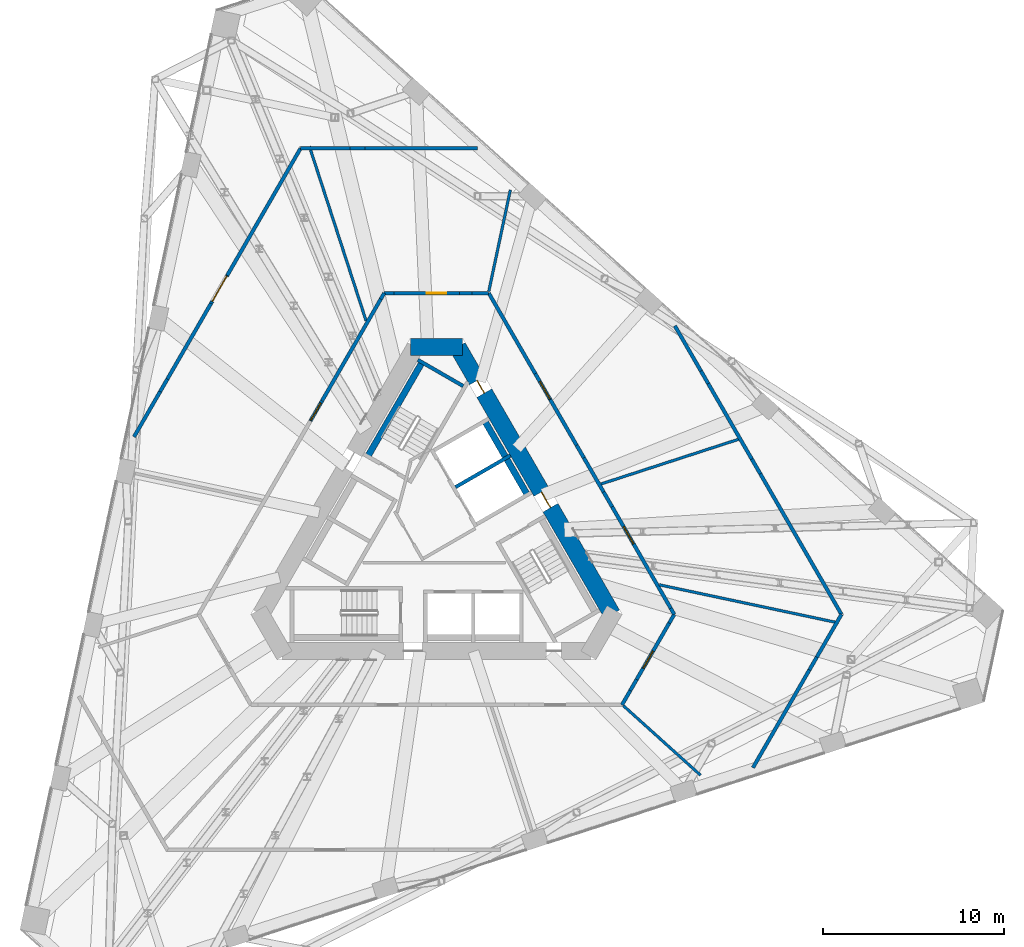
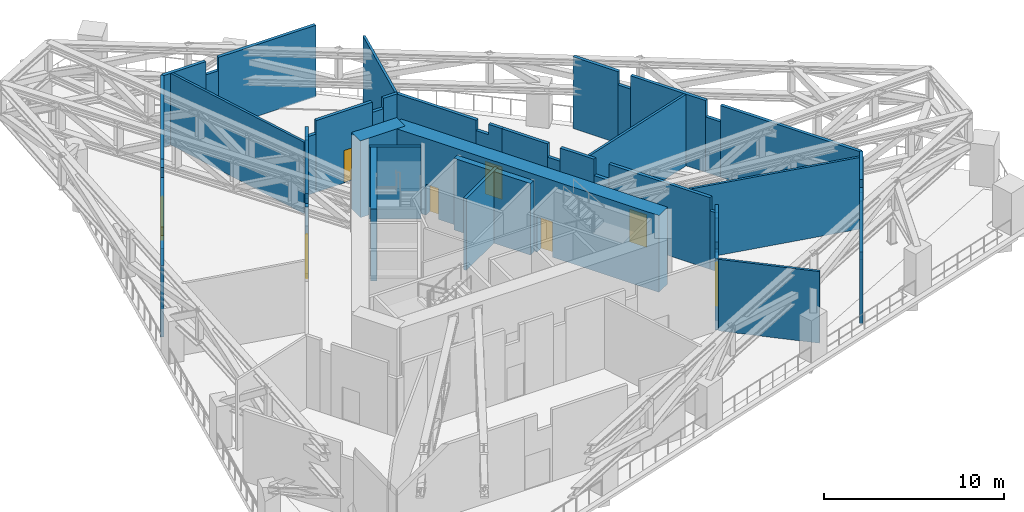
# One storey, part 16 of 24: 46 walls, 8 doors, 8 openings.
"""IFC4 building model written with IfcOpenShell, lengths in metres."""

from ifc_helpers import new_model, si_unit, direction, frame, frame_2d, origin, place, context, subcontext, project, spatial, polyline, rectangle, outline, extrude, material, layer, layer_set, type_object, element, fill, save


model = new_model("IFC4")

# Units and contexts
model_context = context("Model", 3, precision=1e-05, world=origin(), true_north=direction((0.0, 1.0)))
body_context = subcontext(model_context, "Body", "Model", "MODEL_VIEW")
ifc_project = project(units=[si_unit("LENGTHUNIT", "METRE"), si_unit("AREAUNIT", "SQUARE_METRE"), si_unit("VOLUMEUNIT", "CUBIC_METRE"), si_unit("PLANEANGLEUNIT", "RADIAN"), si_unit("MASSUNIT", "GRAM", prefix="KILO")], contexts=[model_context])

# Site, building, storey
site_placement = place(None, origin())
site = spatial("IfcSite", under=ifc_project, at=site_placement, CompositionType="ELEMENT")
building_placement = place(site_placement, origin())
building = spatial("IfcBuilding", under=site, at=building_placement, Name="Tramontana Tower", CompositionType="ELEMENT")
storey_placement = place(building_placement, frame((0.0, 0.0, 120.39990234375)))
storey = spatial("IfcBuildingStorey", under=building, at=storey_placement, Name="L27", CompositionType="ELEMENT", Elevation=120.39990234375)

# Wall
ifc_material_1 = material(Name="Concrete 70 MPa", Category="concrete")
ifc_layer_1 = layer(ifc_material_1, 0.949951171875)
ifc_layer_set_1 = layer_set([ifc_layer_1], Name="Core wall 950 70 MPa")
wall_type_1 = type_object("IfcWallType", Name="Core wall 950 70 MPa", PredefinedType="SHEAR", material=ifc_layer_set_1)
wall_1_placement = place(storey_placement, frame((1.443359375, 10.52490234375, 0.0), z_axis=(0.0, 0.0, 1.0), x_axis=(-1.0, 0.0, 0.0)))
element("IfcWall", 1, at=wall_1_placement, inside=storey, type_object=wall_type_1, Name="Core wall C0 L27", PredefinedType="SHEAR", context=body_context, shape_type="SweptSolid", body=[
    extrude(rectangle(XDim=2.88671875, YDim=0.949951171875, at=frame_2d((1.443359375, 0.0))), origin(), (0.0, 0.0, 1.0), 5.2001953125),
])

# Wall, openings, doors
wall_2_placement = place(storey_placement, frame((9.699462890625, -4.25, 0.0), z_axis=(0.0, 0.0, 1.0), x_axis=(-0.499999102847, 0.866025921755, 0.0)))
wall_2 = element("IfcWall", 2, at=wall_2_placement, inside=storey, type_object=wall_type_1, Name="Core wall C5 L27", PredefinedType="SHEAR", context=body_context, shape_type="SweptSolid", body=[
    extrude(rectangle(XDim=17.060546875, YDim=0.949951171875, at=frame_2d((8.5302734375, 0.0))), origin(), (0.0, 0.0, 1.0), 5.2001953125),
])
opening_1_placement = place(wall_2_placement, frame((6.805419921875, 0.0, 0.0)))
opening_1 = element("IfcOpeningElement", 3, at=opening_1_placement, cuts=wall_2, Name="Opening RG3", PredefinedType="OPENING", context=body_context, shape_type="SweptSolid", body=[
    extrude(rectangle(XDim=1.0, YDim=2.39990234375, at=frame_2d((0.5, 1.199951171875))), frame((0.0, 0.48486328125, 0.0), z_axis=(0.0, -1.0, 0.0), x_axis=(1.0, 0.0, 0.0)), (0.0, 0.0, 1.0), 0.969970703125),
])
opening_2_placement = place(wall_2_placement, frame((14.11376953125, 0.0, 0.0)))
opening_2 = element("IfcOpeningElement", 4, at=opening_2_placement, cuts=wall_2, Name="Opening PD3", PredefinedType="OPENING", context=body_context, shape_type="SweptSolid", body=[
    extrude(rectangle(XDim=0.800048828125, YDim=2.10009765625, at=frame_2d((0.39990234375, 1.050048828125))), frame((0.0, 0.48486328125, 0.0), z_axis=(0.0, -1.0, 0.0), x_axis=(1.0, 0.0, 0.0)), (0.0, 0.0, 1.0), 0.969970703125),
])
ifc_material_2 = material(Name="Painted steel", Category="steel")
door_type_1 = type_object("IfcDoorType", Name="CUPBOARD DOOR 800", OperationType="SINGLE_SWING_LEFT", PredefinedType="DOOR", material=ifc_material_2)
door_1_placement = place(opening_2_placement, origin())
door_1 = element("IfcDoor", 5, at=door_1_placement, inside=storey, type_object=door_type_1, Name="Door PD3", OperationType="SINGLE_SWING_RIGHT", OverallHeight=2.10009765625, OverallWidth=0.800048828125, PredefinedType="DOOR", context=body_context, shape_type="SweptSolid", body=[
    extrude(rectangle(XDim=0.800048828125, YDim=2.10009765625, at=frame_2d((0.39990234375, 1.050048828125))), frame((0.0, 0.02490234375, 0.0), z_axis=(0.0, -1.0, 0.0), x_axis=(1.0, 0.0, 0.0)), (0.0, 0.0, 1.0), 0.050048828125),
])
fill(opening_2, door_1)
ifc_material_3 = material(Name="Painted steel", Category="steel")
door_type_2 = type_object("IfcDoorType", Name="RING DOOR 1000", OperationType="SINGLE_SWING_LEFT", PredefinedType="DOOR", material=ifc_material_3)
door_2_placement = place(opening_1_placement, origin())
door_2 = element("IfcDoor", 6, at=door_2_placement, inside=storey, type_object=door_type_2, Name="Door RG3", OperationType="SINGLE_SWING_RIGHT", OverallHeight=2.39990234375, OverallWidth=1.0, PredefinedType="DOOR", context=body_context, shape_type="SweptSolid", body=[
    extrude(rectangle(XDim=1.0, YDim=2.39990234375, at=frame_2d((0.5, 1.199951171875))), frame((0.0, 0.02490234375, 0.0), z_axis=(0.0, -1.0, 0.0), x_axis=(1.0, 0.0, 0.0)), (0.0, 0.0, 1.0), 0.050048828125),
])
fill(opening_1, door_2)

# Walls
ifc_material_4 = material(Name="Blockwork", Category="masonry")
ifc_layer_2 = layer(ifc_material_4, 0.199951171875)
ifc_layer_set_2 = layer_set([ifc_layer_2], Name="ENCLOSURE WALL 200")
wall_type_2 = type_object("IfcWallType", Name="ENCLOSURE WALL 200", PredefinedType="SOLIDWALL", material=ifc_layer_set_2)
wall_3_placement = place(storey_placement, frame((13.16845703125, 11.691650390625, 0.0), z_axis=(0.0, 0.0, 1.0), x_axis=(0.499988576638, -0.866031998965, 0.0)))
element("IfcWall", 7, at=wall_3_placement, inside=storey, type_object=wall_type_2, Name="Wall enc0-0", PredefinedType="SOLIDWALL", context=body_context, shape_type="SweptSolid", body=[
    extrude(rectangle(XDim=2.88525390625, YDim=0.199951171875, at=frame_2d((1.442626953125, 0.0))), origin(), (0.0, 0.0, 1.0), 4.85009765625),
])
wall_4_placement = place(storey_placement, frame((14.611083984375, 9.19287109375, 0.0), z_axis=(0.0, 0.0, 1.0), x_axis=(0.500109828528, -0.865961984968, 0.0)))
element("IfcWall", 8, at=wall_4_placement, inside=storey, type_object=wall_type_2, Name="Wall enc0-1", PredefinedType="SOLIDWALL", context=body_context, shape_type="SweptSolid", body=[
    extrude(rectangle(XDim=0.800048828125, YDim=0.199951171875, at=frame_2d((0.39990234375, 0.0))), origin(), (0.0, 0.0, 1.0), 3.9501953125),
])
wall_5_placement = place(storey_placement, frame((15.01123046875, 8.5, 0.0), z_axis=(0.0, 0.0, 1.0), x_axis=(0.499982815096, -0.866035325266, 0.0)))
element("IfcWall", 9, at=wall_5_placement, inside=storey, type_object=wall_type_2, Name="Wall enc0-2", PredefinedType="SOLIDWALL", context=body_context, shape_type="SweptSolid", body=[
    extrude(rectangle(XDim=4.816162109375, YDim=0.199951171875, at=frame_2d((2.408203125, 0.0))), origin(), (0.0, 0.0, 1.0), 4.85009765625),
])
wall_6_placement = place(storey_placement, frame((17.419189453125, 4.3291015625, 0.0), z_axis=(0.0, 0.0, 1.0), x_axis=(0.499924048634, -0.866069249885, 0.0)))
element("IfcWall", 10, at=wall_6_placement, inside=storey, type_object=wall_type_2, Name="Wall enc0-3", PredefinedType="SOLIDWALL", context=body_context, shape_type="SweptSolid", body=[
    extrude(rectangle(XDim=0.943603515625, YDim=0.199951171875, at=frame_2d((0.4716796875, 0.0))), origin(), (0.0, 0.0, 1.0), 3.75),
])
wall_7_placement = place(storey_placement, frame((17.890869140625, 3.511962890625, 0.0), z_axis=(0.0, 0.0, 1.0), x_axis=(0.500006187924, -0.866021831155, 0.0)))
element("IfcWall", 11, at=wall_7_placement, inside=storey, type_object=wall_type_2, Name="Wall enc0-4", PredefinedType="SOLIDWALL", context=body_context, shape_type="SweptSolid", body=[
    extrude(rectangle(XDim=8.962890625, YDim=0.199951171875, at=frame_2d((4.4814453125, 0.0))), origin(), (0.0, 0.0, 1.0), 4.85009765625),
])
wall_8_placement = place(storey_placement, frame((22.372314453125, -4.25, 0.0), z_axis=(0.0, 0.0, 1.0), x_axis=(-0.499975232926, -0.866039702589, 0.0)))
element("IfcWall", 12, at=wall_8_placement, inside=storey, type_object=wall_type_2, Name="Wall enc1-0", PredefinedType="SOLIDWALL", context=body_context, shape_type="SweptSolid", body=[
    extrude(rectangle(XDim=2.731201171875, YDim=0.199951171875, at=frame_2d((1.36572265625, 0.0))), origin(), (0.0, 0.0, 1.0), 4.85009765625),
])
wall_9_placement = place(storey_placement, frame((21.0068359375, -6.615234375, 0.0), z_axis=(0.0, 0.0, 1.0), x_axis=(-0.500128085955, -0.865951440693, 0.0)))
element("IfcWall", 13, at=wall_9_placement, inside=storey, type_object=wall_type_2, Name="Wall enc1-1", PredefinedType="SOLIDWALL", context=body_context, shape_type="SweptSolid", body=[
    extrude(rectangle(XDim=0.816162109375, YDim=0.199951171875, at=frame_2d((0.408203125, 0.0))), origin(), (0.0, 0.0, 1.0), 3.9501953125),
])
wall_10_placement = place(storey_placement, frame((20.5986328125, -7.322021484375, 0.0), z_axis=(0.0, 0.0, 1.0), x_axis=(-0.499989156383, -0.866031664259, 0.0)))
element("IfcWall", 14, at=wall_10_placement, inside=storey, type_object=wall_type_2, Name="Wall enc1-2", PredefinedType="SOLIDWALL", context=body_context, shape_type="SweptSolid", body=[
    extrude(rectangle(XDim=6.233642578125, YDim=0.199951171875, at=frame_2d((3.11669921875, 0.0))), origin(), (0.0, 0.0, 1.0), 4.85009765625),
])
wall_11_placement = place(storey_placement, frame((-16.70947265625, 5.558349609375, 0.0), z_axis=(0.0, 0.0, 1.0), x_axis=(0.499988576638, 0.866031998965, 0.0)))
element("IfcWall", 15, at=wall_11_placement, inside=storey, type_object=wall_type_2, Name="Wall enc4-0", PredefinedType="SOLIDWALL", context=body_context, shape_type="SweptSolid", body=[
    extrude(rectangle(XDim=2.88525390625, YDim=0.199951171875, at=frame_2d((1.442626953125, 0.0))), origin(), (0.0, 0.0, 1.0), 4.85009765625),
])
wall_12_placement = place(storey_placement, frame((-15.266845703125, 8.05712890625, 0.0), z_axis=(0.0, 0.0, 1.0), x_axis=(0.500109828528, 0.865961984968, 0.0)))
element("IfcWall", 16, at=wall_12_placement, inside=storey, type_object=wall_type_2, Name="Wall enc4-1", PredefinedType="SOLIDWALL", context=body_context, shape_type="SweptSolid", body=[
    extrude(rectangle(XDim=0.800048828125, YDim=0.199951171875, at=frame_2d((0.39990234375, 0.0))), origin(), (0.0, 0.0, 1.0), 3.9501953125),
])
wall_13_placement = place(storey_placement, frame((-14.86669921875, 8.75, 0.0), z_axis=(0.0, 0.0, 1.0), x_axis=(0.499982815096, 0.866035325266, 0.0)))
element("IfcWall", 17, at=wall_13_placement, inside=storey, type_object=wall_type_2, Name="Wall enc4-2", PredefinedType="SOLIDWALL", context=body_context, shape_type="SweptSolid", body=[
    extrude(rectangle(XDim=4.816162109375, YDim=0.199951171875, at=frame_2d((2.408203125, 0.0))), origin(), (0.0, 0.0, 1.0), 4.85009765625),
])

# Wall, opening, door
wall_14_placement = place(storey_placement, frame((-12.458740234375, 12.9208984375, 0.0), z_axis=(0.0, 0.0, 1.0), x_axis=(0.500001105423, 0.866024765567, 0.0)))
wall_14 = element("IfcWall", 18, at=wall_14_placement, inside=storey, type_object=wall_type_2, Name="Wall enc4-3", PredefinedType="SOLIDWALL", context=body_context, shape_type="SweptSolid", body=[
    extrude(outline(polyline([(0.0, 0.0), (1.794921875, 0.0), (1.795166015625, 4.85009765625), (0.943603515625, 4.85009765625), (0.943603515625, 3.75), (0.0, 3.75), (0.0, 0.0)])), frame((0.0, 0.10009765625, 0.0), z_axis=(0.0, -1.0, 0.0), x_axis=(1.0, 0.0, 0.0)), (0.0, 0.0, 1.0), 0.199951171875),
])
opening_3_placement = place(wall_14_placement, frame((0.14501953125, 0.0, 0.0)))
opening_3 = element("IfcOpeningElement", 19, at=opening_3_placement, cuts=wall_14, Name="Opening L27-10", PredefinedType="OPENING", context=body_context, shape_type="SweptSolid", body=[
    extrude(rectangle(XDim=1.60009765625, YDim=2.300048828125, at=frame_2d((0.800048828125, 1.14990234375))), frame((0.0, 0.10986328125, 0.0), z_axis=(0.0, -1.0, 0.0), x_axis=(1.0, 0.0, 0.0)), (0.0, 0.0, 1.0), 0.219970703125),
])
ifc_material_5 = material(Name="Painted timber", Category="wood")
door_type_3 = type_object("IfcDoorType", Name="DOOR WIDE 1600", OperationType="SINGLE_SWING_LEFT", PredefinedType="DOOR", material=ifc_material_5)
door_3_placement = place(opening_3_placement, origin())
door_3 = element("IfcDoor", 20, at=door_3_placement, inside=storey, type_object=door_type_3, Name="Door L27-10", OperationType="DOUBLE_DOOR_SINGLE_SWING", OverallHeight=2.300048828125, OverallWidth=1.60009765625, PredefinedType="DOOR", context=body_context, shape_type="SweptSolid", body=[
    extrude(rectangle(XDim=1.60009765625, YDim=2.300048828125, at=frame_2d((0.800048828125, 1.14990234375))), frame((0.0, 0.02490234375, 0.0), z_axis=(0.0, -1.0, 0.0), x_axis=(1.0, 0.0, 0.0)), (0.0, 0.0, 1.0), 0.050048828125),
])
fill(opening_3, door_3)

# Walls
wall_15_placement = place(storey_placement, frame((-11.561279296875, 14.475341796875, 0.0), z_axis=(0.0, 0.0, 1.0), x_axis=(0.49999775851, 0.866026697905, 0.0)))
element("IfcWall", 21, at=wall_15_placement, inside=storey, type_object=wall_type_2, Name="Wall enc4-4", PredefinedType="SOLIDWALL", context=body_context, shape_type="SweptSolid", body=[
    extrude(rectangle(XDim=8.111328125, YDim=0.199951171875, at=frame_2d((4.0556640625, 0.0))), origin(), (0.0, 0.0, 1.0), 4.85009765625),
])
wall_16_placement = place(storey_placement, frame((-7.505615234375, 21.5, 0.0), z_axis=(0.0, 0.0, 1.0), x_axis=(1.0, 0.0, 0.0)))
element("IfcWall", 22, at=wall_16_placement, inside=storey, type_object=wall_type_2, Name="Wall enc5-0", PredefinedType="SOLIDWALL", context=body_context, shape_type="SweptSolid", body=[
    extrude(rectangle(XDim=2.731201171875, YDim=0.199951171875, at=frame_2d((1.36572265625, 0.0))), origin(), (0.0, 0.0, 1.0), 4.85009765625),
])
wall_17_placement = place(storey_placement, frame((-4.7744140625, 21.5, 0.0), z_axis=(0.0, 0.0, 1.0), x_axis=(1.0, 0.0, 0.0)))
element("IfcWall", 23, at=wall_17_placement, inside=storey, type_object=wall_type_2, Name="Wall enc5-1", PredefinedType="SOLIDWALL", context=body_context, shape_type="SweptSolid", body=[
    extrude(rectangle(XDim=0.816162109375, YDim=0.199951171875, at=frame_2d((0.408203125, 0.0))), origin(), (0.0, 0.0, 1.0), 3.9501953125),
])
wall_18_placement = place(storey_placement, frame((-3.958251953125, 21.5, 0.0), z_axis=(0.0, 0.0, 1.0), x_axis=(1.0, 0.0, 0.0)))
element("IfcWall", 24, at=wall_18_placement, inside=storey, type_object=wall_type_2, Name="Wall enc5-2", PredefinedType="SOLIDWALL", context=body_context, shape_type="SweptSolid", body=[
    extrude(rectangle(XDim=6.2333984375, YDim=0.199951171875, at=frame_2d((3.11669921875, 0.0))), origin(), (0.0, 0.0, 1.0), 4.85009765625),
])
ifc_material_6 = material(Name="Blockwork", Category="masonry")
ifc_layer_3 = layer(ifc_material_6, 0.199951171875)
ifc_layer_set_3 = layer_set([ifc_layer_3], Name="ENTRY WALL 200")
wall_type_3 = type_object("IfcWallType", Name="ENTRY WALL 200", PredefinedType="SOLIDWALL", material=ifc_layer_set_3)
wall_19_placement = place(storey_placement, frame((2.88671875, 13.5, 0.0), z_axis=(0.0, 0.0, 1.0), x_axis=(0.50000466804, -0.866022708674, 0.0)))
element("IfcWall", 25, at=wall_19_placement, inside=storey, type_object=wall_type_3, Name="Wall ew0-0", PredefinedType="SOLIDWALL", context=body_context, shape_type="SweptSolid", body=[
    extrude(rectangle(XDim=5.14208984375, YDim=0.199951171875, at=frame_2d((2.571044921875, 0.0))), origin(), (0.0, 0.0, 1.0), 4.85009765625),
])

# Wall, opening, door
wall_20_placement = place(storey_placement, frame((5.457763671875, 9.046875, 0.0), z_axis=(0.0, 0.0, 1.0), x_axis=(0.500054140411, -0.865994143547, 0.0)))
wall_20 = element("IfcWall", 26, at=wall_20_placement, inside=storey, type_object=wall_type_3, Name="Wall ew0-1", PredefinedType="SOLIDWALL", context=body_context, shape_type="SweptSolid", body=[
    extrude(outline(polyline([(0.0, 0.0), (1.656494140625, 0.0), (1.656494140625, 4.85009765625), (0.78564453125, 4.85009765625), (0.78564453125, 4.150146484375), (0.0, 4.150146484375), (0.0, 0.0)])), frame((0.0, 0.10009765625, 0.0), z_axis=(0.0, -1.0, 0.0), x_axis=(1.0, 0.0, 0.0)), (0.0, 0.0, 1.0), 0.199951171875),
])
opening_4_placement = place(wall_20_placement, frame((0.506591796875, 0.0, 0.0)))
opening_4 = element("IfcOpeningElement", 27, at=opening_4_placement, cuts=wall_20, Name="Opening L27-02", PredefinedType="OPENING", context=body_context, shape_type="SweptSolid", body=[
    extrude(rectangle(XDim=1.10009765625, YDim=2.199951171875, at=frame_2d((0.550048828125, 1.10009765625))), frame((0.0, 0.10986328125, 0.0), z_axis=(0.0, -1.0, 0.0), x_axis=(1.0, 0.0, 0.0)), (0.0, 0.0, 1.0), 0.219970703125),
])
ifc_material_7 = material(Name="Painted steel", Category="steel")
door_type_4 = type_object("IfcDoorType", Name="PLANT DOOR 1100", OperationType="SINGLE_SWING_LEFT", PredefinedType="DOOR", material=ifc_material_7)
door_4_placement = place(opening_4_placement, origin())
door_4 = element("IfcDoor", 28, at=door_4_placement, inside=storey, type_object=door_type_4, Name="Door L27-02", OperationType="SINGLE_SWING_RIGHT", OverallHeight=2.199951171875, OverallWidth=1.10009765625, PredefinedType="DOOR", context=body_context, shape_type="SweptSolid", body=[
    extrude(rectangle(XDim=1.10009765625, YDim=2.199951171875, at=frame_2d((0.550048828125, 1.10009765625))), frame((0.0, 0.02490234375, 0.0), z_axis=(0.0, -1.0, 0.0), x_axis=(1.0, 0.0, 0.0)), (0.0, 0.0, 1.0), 0.050048828125),
])
fill(opening_4, door_4)

# Walls
wall_21_placement = place(storey_placement, frame((6.2861328125, 7.6123046875, 0.0), z_axis=(0.0, 0.0, 1.0), x_axis=(0.499961921997, -0.866047387014, 0.0)))
element("IfcWall", 29, at=wall_21_placement, inside=storey, type_object=wall_type_3, Name="Wall ew0-2", PredefinedType="SOLIDWALL", context=body_context, shape_type="SweptSolid", body=[
    extrude(rectangle(XDim=2.912353515625, YDim=0.199951171875, at=frame_2d((1.4560546875, 0.0))), origin(), (0.0, 0.0, 1.0), 4.85009765625),
])
wall_22_placement = place(storey_placement, frame((7.7421875, 5.090087890625, 0.0), z_axis=(0.0, 0.0, 1.0), x_axis=(0.500109828528, -0.865961984968, 0.0)))
element("IfcWall", 30, at=wall_22_placement, inside=storey, type_object=wall_type_3, Name="Wall ew0-3", PredefinedType="SOLIDWALL", context=body_context, shape_type="SweptSolid", body=[
    extrude(rectangle(XDim=0.800048828125, YDim=0.199951171875, at=frame_2d((0.39990234375, 0.0))), origin(), (0.0, 0.0, 1.0), 3.9501953125),
])
wall_23_placement = place(storey_placement, frame((8.142333984375, 4.397216796875, 0.0), z_axis=(0.0, 0.0, 1.0), x_axis=(0.499948868167, -0.866054922749, 0.0)))
element("IfcWall", 31, at=wall_23_placement, inside=storey, type_object=wall_type_3, Name="Wall ew0-4", PredefinedType="SOLIDWALL", context=body_context, shape_type="SweptSolid", body=[
    extrude(rectangle(XDim=2.177978515625, YDim=0.199951171875, at=frame_2d((1.0888671875, 0.0))), origin(), (0.0, 0.0, 1.0), 4.85009765625),
])
wall_24_placement = place(storey_placement, frame((9.231201171875, 2.510986328125, 0.0), z_axis=(0.0, 0.0, 1.0), x_axis=(0.500118100521, -0.865957207679, 0.0)))
element("IfcWall", 32, at=wall_24_placement, inside=storey, type_object=wall_type_3, Name="Wall ew0-5", PredefinedType="SOLIDWALL", context=body_context, shape_type="SweptSolid", body=[
    extrude(rectangle(XDim=0.943603515625, YDim=0.199951171875, at=frame_2d((0.4716796875, 0.0))), origin(), (0.0, 0.0, 1.0), 3.75),
])

# Wall, opening, door
wall_25_placement = place(storey_placement, frame((9.703125, 1.69384765625, 0.0), z_axis=(0.0, 0.0, 1.0), x_axis=(0.500004272639, -0.866022936961, 0.0)))
wall_25 = element("IfcWall", 33, at=wall_25_placement, inside=storey, type_object=wall_type_3, Name="Wall ew0-6", PredefinedType="SOLIDWALL", context=body_context, shape_type="SweptSolid", body=[
    extrude(rectangle(XDim=6.47412109375, YDim=0.199951171875, at=frame_2d((3.237060546875, 0.0))), origin(), (0.0, 0.0, 1.0), 4.85009765625),
])
opening_5_placement = place(wall_25_placement, frame((1.2685546875, 0.0, 0.0)))
opening_5 = element("IfcOpeningElement", 34, at=opening_5_placement, cuts=wall_25, Name="Opening L27-01", PredefinedType="OPENING", context=body_context, shape_type="SweptSolid", body=[
    extrude(rectangle(XDim=1.10009765625, YDim=2.199951171875, at=frame_2d((0.550048828125, 1.10009765625))), frame((0.0, 0.10986328125, 0.0), z_axis=(0.0, -1.0, 0.0), x_axis=(1.0, 0.0, 0.0)), (0.0, 0.0, 1.0), 0.219970703125),
])
door_5_placement = place(opening_5_placement, origin())
door_5 = element("IfcDoor", 35, at=door_5_placement, inside=storey, type_object=door_type_4, Name="Door L27-01", OperationType="SINGLE_SWING_LEFT", OverallHeight=2.199951171875, OverallWidth=1.10009765625, PredefinedType="DOOR", context=body_context, shape_type="SweptSolid", body=[
    extrude(rectangle(XDim=1.10009765625, YDim=2.199951171875, at=frame_2d((0.550048828125, 1.10009765625))), frame((0.0, 0.02490234375, 0.0), z_axis=(0.0, -1.0, 0.0), x_axis=(1.0, 0.0, 0.0)), (0.0, 0.0, 1.0), 0.050048828125),
])
fill(opening_5, door_5)

# Walls
wall_26_placement = place(storey_placement, frame((12.940185546875, -3.912841796875, 0.0), z_axis=(0.0, 0.0, 1.0), x_axis=(0.499849133735, -0.866112488944, 0.0)))
element("IfcWall", 36, at=wall_26_placement, inside=storey, type_object=wall_type_3, Name="Wall ew0-7", PredefinedType="SOLIDWALL", context=body_context, shape_type="SweptSolid", body=[
    extrude(rectangle(XDim=0.38916015625, YDim=0.199951171875, at=frame_2d((0.194580078125, 0.0))), origin(), (0.0, 0.0, 1.0), 3.9501953125),
])
wall_27_placement = place(storey_placement, frame((13.134765625, -4.25, 0.0), z_axis=(0.0, 0.0, 1.0), x_axis=(-0.499887958344, -0.866090081402, 0.0)))
element("IfcWall", 37, at=wall_27_placement, inside=storey, type_object=wall_type_3, Name="Wall ew1-0", PredefinedType="SOLIDWALL", context=body_context, shape_type="SweptSolid", body=[
    extrude(rectangle(XDim=0.553466796875, YDim=0.199951171875, at=frame_2d((0.27685546875, 0.0))), origin(), (0.0, 0.0, 1.0), 3.9501953125),
])

# Wall, opening, door
wall_28_placement = place(storey_placement, frame((12.858154296875, -4.729248046875, 0.0), z_axis=(0.0, 0.0, 1.0), x_axis=(-0.500031425827, -0.866007259314, 0.0)))
wall_28 = element("IfcWall", 38, at=wall_28_placement, inside=storey, type_object=wall_type_3, Name="Wall ew1-1", PredefinedType="SOLIDWALL", context=body_context, shape_type="SweptSolid", body=[
    extrude(rectangle(XDim=3.602294921875, YDim=0.199951171875, at=frame_2d((1.80126953125, 0.0))), origin(), (0.0, 0.0, 1.0), 4.85009765625),
])
opening_6_placement = place(wall_28_placement, frame((1.783447265625, 0.0, 0.0)))
opening_6 = element("IfcOpeningElement", 39, at=opening_6_placement, cuts=wall_28, Name="Opening L27-09", PredefinedType="OPENING", context=body_context, shape_type="SweptSolid", body=[
    extrude(rectangle(XDim=1.10009765625, YDim=2.199951171875, at=frame_2d((0.550048828125, 1.10009765625))), frame((0.0, 0.10986328125, 0.0), z_axis=(0.0, -1.0, 0.0), x_axis=(1.0, 0.0, 0.0)), (0.0, 0.0, 1.0), 0.219970703125),
])
door_6_placement = place(opening_6_placement, origin())
door_6 = element("IfcDoor", 40, at=door_6_placement, inside=storey, type_object=door_type_4, Name="Door L27-09", OperationType="SINGLE_SWING_LEFT", OverallHeight=2.199951171875, OverallWidth=1.10009765625, PredefinedType="DOOR", context=body_context, shape_type="SweptSolid", body=[
    extrude(rectangle(XDim=1.10009765625, YDim=2.199951171875, at=frame_2d((0.550048828125, 1.10009765625))), frame((0.0, 0.02490234375, 0.0), z_axis=(0.0, -1.0, 0.0), x_axis=(1.0, 0.0, 0.0)), (0.0, 0.0, 1.0), 0.050048828125),
])
fill(opening_6, door_6)

# Walls
wall_29_placement = place(storey_placement, frame((11.056884765625, -7.848876953125, 0.0), z_axis=(0.0, 0.0, 1.0), x_axis=(-0.500012199891, -0.86601836006, 0.0)))
element("IfcWall", 41, at=wall_29_placement, inside=storey, type_object=wall_type_3, Name="Wall ew1-2", PredefinedType="SOLIDWALL", context=body_context, shape_type="SweptSolid", body=[
    extrude(rectangle(XDim=0.705078125, YDim=0.199951171875, at=frame_2d((0.3525390625, 0.0))), origin(), (0.0, 0.0, 1.0), 4.150146484375),
])
wall_30_placement = place(storey_placement, frame((10.704345703125, -8.45947265625, 0.0), z_axis=(0.0, 0.0, 1.0), x_axis=(-0.499907684424, -0.866078695647, 0.0)))
element("IfcWall", 42, at=wall_30_placement, inside=storey, type_object=wall_type_3, Name="Wall ew1-3", PredefinedType="SOLIDWALL", context=body_context, shape_type="SweptSolid", body=[
    extrude(rectangle(XDim=0.912841796875, YDim=0.199951171875, at=frame_2d((0.45654296875, 0.0))), origin(), (0.0, 0.0, 1.0), 4.85009765625),
])

# Wall, opening, door
wall_31_placement = place(storey_placement, frame((-6.965576171875, 6.435302734375, 0.0), z_axis=(0.0, 0.0, 1.0), x_axis=(0.500054453378, 0.865993962829, 0.0)))
wall_31 = element("IfcWall", 43, at=wall_31_placement, inside=storey, type_object=wall_type_3, Name="Wall ew4-5", PredefinedType="SOLIDWALL", context=body_context, shape_type="SweptSolid", body=[
    extrude(outline(polyline([(0.0, 0.0), (1.294189453125, 0.0), (1.294189453125, 3.75), (0.3505859375, 3.75), (0.3505859375, 4.85009765625), (0.0, 4.85009765625), (0.0, 0.0)])), frame((0.0, 0.10009765625, 0.0), z_axis=(0.0, -1.0, 0.0), x_axis=(1.0, 0.0, 0.0)), (0.0, 0.0, 1.0), 0.199951171875),
])
opening_7_placement = place(wall_31_placement, frame((0.050048828125, 0.0, 0.0)))
opening_7 = element("IfcOpeningElement", 44, at=opening_7_placement, cuts=wall_31, Name="Opening L27-04", PredefinedType="OPENING", context=body_context, shape_type="SweptSolid", body=[
    extrude(rectangle(XDim=1.10009765625, YDim=2.199951171875, at=frame_2d((0.550048828125, 1.10009765625))), frame((0.0, 0.10986328125, 0.0), z_axis=(0.0, -1.0, 0.0), x_axis=(1.0, 0.0, 0.0)), (0.0, 0.0, 1.0), 0.219970703125),
])
door_7_placement = place(opening_7_placement, origin())
door_7 = element("IfcDoor", 45, at=door_7_placement, inside=storey, type_object=door_type_4, Name="Door L27-04", OperationType="SINGLE_SWING_RIGHT", OverallHeight=2.199951171875, OverallWidth=1.10009765625, PredefinedType="DOOR", context=body_context, shape_type="SweptSolid", body=[
    extrude(rectangle(XDim=1.10009765625, YDim=2.199951171875, at=frame_2d((0.550048828125, 1.10009765625))), frame((0.0, 0.02490234375, 0.0), z_axis=(0.0, -1.0, 0.0), x_axis=(1.0, 0.0, 0.0)), (0.0, 0.0, 1.0), 0.050048828125),
])
fill(opening_7, door_7)

# Walls
wall_32_placement = place(storey_placement, frame((-6.318359375, 7.55615234375, 0.0), z_axis=(0.0, 0.0, 1.0), x_axis=(0.500004272639, 0.866022936961, 0.0)))
element("IfcWall", 46, at=wall_32_placement, inside=storey, type_object=wall_type_3, Name="Wall ew4-6", PredefinedType="SOLIDWALL", context=body_context, shape_type="SweptSolid", body=[
    extrude(rectangle(XDim=6.47412109375, YDim=0.199951171875, at=frame_2d((3.237060546875, 0.0))), origin(), (0.0, 0.0, 1.0), 4.85009765625),
])
wall_33_placement = place(storey_placement, frame((-3.081298828125, 13.162841796875, 0.0), z_axis=(0.0, 0.0, 1.0), x_axis=(0.499849133735, 0.866112488944, 0.0)))
element("IfcWall", 47, at=wall_33_placement, inside=storey, type_object=wall_type_3, Name="Wall ew4-7", PredefinedType="SOLIDWALL", context=body_context, shape_type="SweptSolid", body=[
    extrude(rectangle(XDim=0.38916015625, YDim=0.199951171875, at=frame_2d((0.194580078125, 0.0))), origin(), (0.0, 0.0, 1.0), 3.9501953125),
])
wall_34_placement = place(storey_placement, frame((-2.88671875, 13.5, 0.0), z_axis=(0.0, 0.0, 1.0), x_axis=(1.0, 0.0, 0.0)))
element("IfcWall", 48, at=wall_34_placement, inside=storey, type_object=wall_type_3, Name="Wall ew5-0", PredefinedType="SOLIDWALL", context=body_context, shape_type="SweptSolid", body=[
    extrude(rectangle(XDim=0.55322265625, YDim=0.199951171875, at=frame_2d((0.276611328125, 0.0))), origin(), (0.0, 0.0, 1.0), 3.9501953125),
])

# Wall, opening, door
wall_35_placement = place(storey_placement, frame((-2.33349609375, 13.5, 0.0), z_axis=(0.0, 0.0, 1.0), x_axis=(1.0, 0.0, 0.0)))
wall_35 = element("IfcWall", 49, at=wall_35_placement, inside=storey, type_object=wall_type_3, Name="Wall ew5-1", PredefinedType="SOLIDWALL", context=body_context, shape_type="SweptSolid", body=[
    extrude(rectangle(XDim=3.6025390625, YDim=0.199951171875, at=frame_2d((1.80126953125, 0.0))), origin(), (0.0, 0.0, 1.0), 4.85009765625),
])
opening_8_placement = place(wall_35_placement, frame((1.783447265625, 0.0, 0.0)))
opening_8 = element("IfcOpeningElement", 50, at=opening_8_placement, cuts=wall_35, Name="Opening L27-03", PredefinedType="OPENING", context=body_context, shape_type="SweptSolid", body=[
    extrude(rectangle(XDim=1.10009765625, YDim=2.199951171875, at=frame_2d((0.550048828125, 1.10009765625))), frame((0.0, 0.10986328125, 0.0), z_axis=(0.0, -1.0, 0.0), x_axis=(1.0, 0.0, 0.0)), (0.0, 0.0, 1.0), 0.219970703125),
])
door_8_placement = place(opening_8_placement, origin())
door_8 = element("IfcDoor", 51, at=door_8_placement, inside=storey, type_object=door_type_4, Name="Door L27-03", OperationType="SINGLE_SWING_LEFT", OverallHeight=2.199951171875, OverallWidth=1.10009765625, PredefinedType="DOOR", context=body_context, shape_type="SweptSolid", body=[
    extrude(rectangle(XDim=1.10009765625, YDim=2.199951171875, at=frame_2d((0.550048828125, 1.10009765625))), frame((0.0, 0.02490234375, 0.0), z_axis=(0.0, -1.0, 0.0), x_axis=(1.0, 0.0, 0.0)), (0.0, 0.0, 1.0), 0.050048828125),
])
fill(opening_8, door_8)

# Walls
wall_36_placement = place(storey_placement, frame((1.26904296875, 13.5, 0.0), z_axis=(0.0, 0.0, 1.0), x_axis=(1.0, 0.0, 0.0)))
element("IfcWall", 52, at=wall_36_placement, inside=storey, type_object=wall_type_3, Name="Wall ew5-2", PredefinedType="SOLIDWALL", context=body_context, shape_type="SweptSolid", body=[
    extrude(rectangle(XDim=0.704833984375, YDim=0.199951171875, at=frame_2d((0.3525390625, 0.0))), origin(), (0.0, 0.0, 1.0), 4.150146484375),
])
wall_37_placement = place(storey_placement, frame((1.973876953125, 13.5, 0.0), z_axis=(0.0, 0.0, 1.0), x_axis=(1.0, 0.0, 0.0)))
element("IfcWall", 53, at=wall_37_placement, inside=storey, type_object=wall_type_3, Name="Wall ew5-3", PredefinedType="SOLIDWALL", context=body_context, shape_type="SweptSolid", body=[
    extrude(rectangle(XDim=0.912841796875, YDim=0.199951171875, at=frame_2d((0.45654296875, 0.0))), origin(), (0.0, 0.0, 1.0), 4.85009765625),
])
ifc_material_8 = material(Name="Gypsum board partition")
ifc_layer_4 = layer(ifc_material_8, 0.14990234375)
ifc_layer_set_4 = layer_set([ifc_layer_4], Name="PARTITION 150")
wall_type_4 = type_object("IfcWallType", Name="PARTITION 150", PredefinedType="PARTITIONING", material=ifc_layer_set_4)
wall_38_placement = place(storey_placement, frame((-3.887939453125, 11.9658203125, 0.0), z_axis=(0.0, 0.0, 1.0), x_axis=(-0.309017407409, 0.951056382092, 0.0)))
element("IfcWall", 54, at=wall_38_placement, inside=storey, type_object=wall_type_4, Name="Wall fw-pw03", PredefinedType="PARTITIONING", context=body_context, shape_type="SweptSolid", body=[
    extrude(rectangle(XDim=10.130126953125, YDim=0.14990234375, at=frame_2d((5.06494140625, 0.0))), origin(), (0.0, 0.0, 1.0), 4.85009765625),
])
wall_39_placement = place(storey_placement, frame((2.890869140625, 13.60009765625, 0.0), z_axis=(0.0, 0.0, 1.0), x_axis=(0.207901080915, 0.978149855878, 0.0)))
element("IfcWall", 55, at=wall_39_placement, inside=storey, type_object=wall_type_4, Name="Wall fw-pw04", PredefinedType="PARTITIONING", context=body_context, shape_type="SweptSolid", body=[
    extrude(rectangle(XDim=5.725830078125, YDim=0.14990234375, at=frame_2d((2.86279296875, 0.0))), origin(), (0.0, 0.0, 1.0), 4.85009765625),
])
wall_40_placement = place(storey_placement, frame((9.091064453125, 2.953857421875, 0.0), z_axis=(0.0, 0.0, 1.0), x_axis=(0.951056003265, 0.309018573315, 0.0)))
element("IfcWall", 56, at=wall_40_placement, inside=storey, type_object=wall_type_4, Name="Wall fw-pw06", PredefinedType="PARTITIONING", context=body_context, shape_type="SweptSolid", body=[
    extrude(rectangle(XDim=8.1787109375, YDim=0.14990234375, at=frame_2d((4.08935546875, 0.0))), origin(), (0.0, 0.0, 1.0), 4.85009765625),
])
wall_41_placement = place(storey_placement, frame((10.33251953125, -9.303466796875, 0.0), z_axis=(0.0, 0.0, 1.0), x_axis=(0.743145726362, -0.669129605824, 0.0)))
element("IfcWall", 57, at=wall_41_placement, inside=storey, type_object=wall_type_4, Name="Wall fw-pw07", PredefinedType="PARTITIONING", context=body_context, shape_type="SweptSolid", body=[
    extrude(rectangle(XDim=5.72607421875, YDim=0.14990234375, at=frame_2d((2.863037109375, 0.0))), origin(), (0.0, 0.0, 1.0), 4.85009765625),
])
wall_42_placement = place(storey_placement, frame((22.21533203125, -4.721923828125, 0.0), z_axis=(0.0, 0.0, 1.0), x_axis=(-0.978151622634, 0.207892768365, 0.0)))
element("IfcWall", 58, at=wall_42_placement, inside=storey, type_object=wall_type_4, Name="Wall fw-pw08", PredefinedType="PARTITIONING", context=body_context, shape_type="SweptSolid", body=[
    extrude(rectangle(XDim=10.130126953125, YDim=0.14990234375, at=frame_2d((5.06494140625, 0.0))), origin(), (0.0, 0.0, 1.0), 4.85009765625),
])
ifc_material_9 = material(Name="Concrete 70 MPa", Category="concrete")
ifc_layer_5 = layer(ifc_material_9, 0.35009765625)
ifc_layer_set_5 = layer_set([ifc_layer_5], Name="Concrete 70 MPa, 350 mm")
wall_type_5 = type_object("IfcWallType", Name="RC SHAFT BACK WALL 350", PredefinedType="SOLIDWALL", material=ifc_layer_set_5)
wall_43_placement = place(storey_placement, frame((-0.744873046875, 9.760009765625, 0.0), z_axis=(0.0, 0.0, 1.0), x_axis=(-0.49998037582, -0.866036733513, 0.0)))
element("IfcWall", 59, at=wall_43_placement, inside=storey, type_object=wall_type_5, Name="Wall st1-back", PredefinedType="SOLIDWALL", context=body_context, shape_type="SweptSolid", body=[
    extrude(rectangle(XDim=6.199951171875, YDim=0.35009765625, at=frame_2d((3.10009765625, 0.0))), origin(), (0.0, 0.0, 1.0), 4.85009765625),
])
wall_44_placement = place(storey_placement, frame((5.06982421875, 2.268798828125, 0.0), z_axis=(0.0, 0.0, 1.0), x_axis=(-0.49998122708, 0.866036242063, 0.0)))
element("IfcWall", 60, at=wall_44_placement, inside=storey, type_object=wall_type_5, Name="Wall row2-back", PredefinedType="SOLIDWALL", context=body_context, shape_type="SweptSolid", body=[
    extrude(rectangle(XDim=4.900146484375, YDim=0.35009765625, at=frame_2d((2.4501953125, 0.0))), origin(), (0.0, 0.0, 1.0), 4.85009765625),
])
ifc_material_10 = material(Name="Concrete 70 MPa", Category="concrete")
ifc_layer_6 = layer(ifc_material_10, 0.199951171875)
ifc_layer_set_6 = layer_set([ifc_layer_6], Name="Concrete 70 MPa, 200 mm")
wall_type_6 = type_object("IfcWallType", Name="RC STAIR AND SHAFT WALL 200", PredefinedType="SOLIDWALL", material=ifc_layer_set_6)
wall_45_placement = place(storey_placement, frame((1.478515625, 8.36083984375, 0.0), z_axis=(0.0, 0.0, 1.0), x_axis=(-0.866032775405, 0.499987231761, 0.0)))
element("IfcWall", 61, at=wall_45_placement, inside=storey, type_object=wall_type_6, Name="Wall st1-far", PredefinedType="SOLIDWALL", context=body_context, shape_type="SweptSolid", body=[
    extrude(rectangle(XDim=2.89990234375, YDim=0.199951171875, at=frame_2d((1.449951171875, 0.0))), origin(), (0.0, 0.0, 1.0), 4.85009765625),
])
wall_46_placement = place(storey_placement, frame((1.0517578125, 2.778076171875, 0.0), z_axis=(0.0, 0.0, 1.0), x_axis=(0.866036909293, 0.499980071345, 0.0)))
element("IfcWall", 62, at=wall_46_placement, inside=storey, type_object=wall_type_6, Name="Wall row2-side1", PredefinedType="SOLIDWALL", context=body_context, shape_type="SweptSolid", body=[
    extrude(rectangle(XDim=3.500244140625, YDim=0.199951171875, at=frame_2d((1.75, 0.0))), origin(), (0.0, 0.0, 1.0), 4.85009765625),
])

save(model, "model.ifc")
